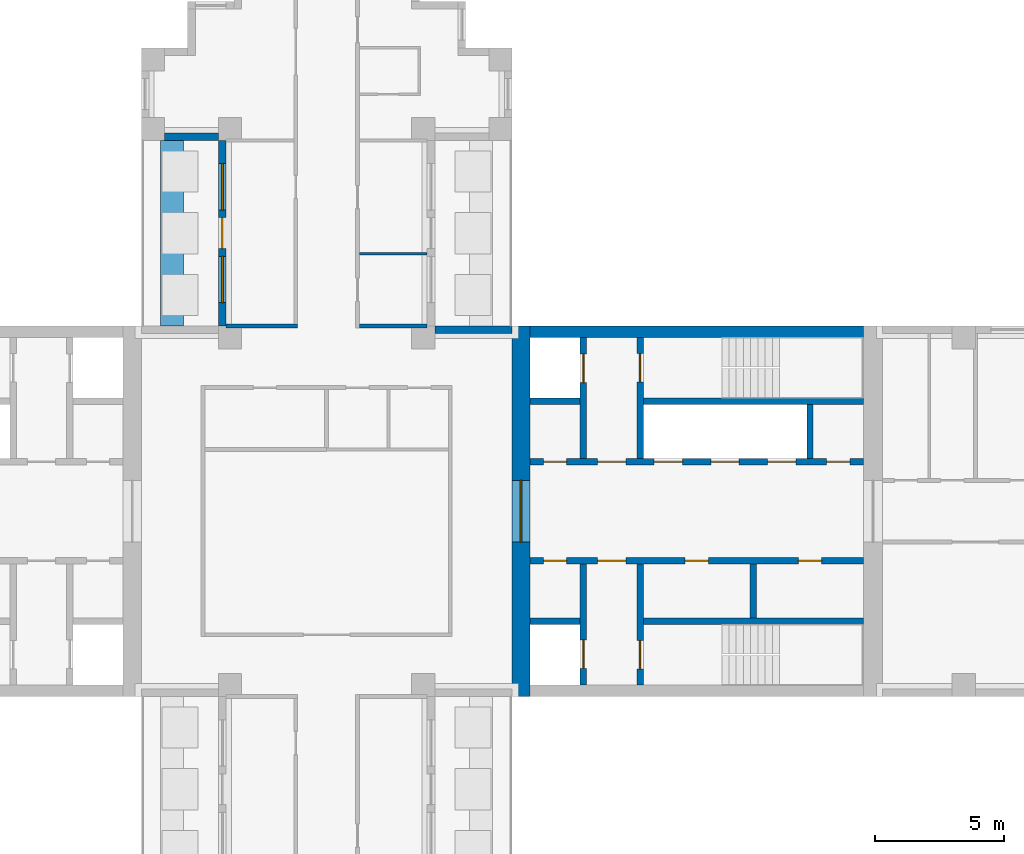
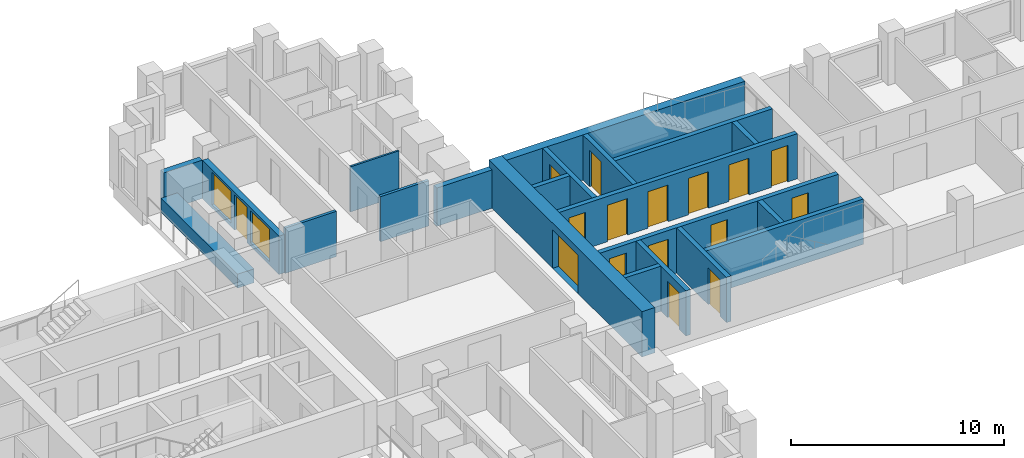
# One storey, part 6 of 11: 21 walls, 16 doors, 2 windows, 18 openings.
"""IFC4 building model written with IfcOpenShell, lengths in metres."""

from ifc_helpers import new_model, si_unit, direction, frame, frame_2d, origin, place, context, subcontext, project, spatial, rectangle, extrude, material, layer, layer_set, type_object, element, fill, save


model = new_model("IFC4")

# Units and contexts
model_context = context("Model", 3, precision=1e-05, world=origin(), true_north=direction((0.0, 1.0)))
body_context = subcontext(model_context, "Body", "Model", "MODEL_VIEW")
ifc_project = project(units=[si_unit("LENGTHUNIT", "METRE"), si_unit("AREAUNIT", "SQUARE_METRE"), si_unit("VOLUMEUNIT", "CUBIC_METRE"), si_unit("PLANEANGLEUNIT", "RADIAN"), si_unit("MASSUNIT", "GRAM", prefix="KILO")], contexts=[model_context])

# Site, building, storey
site_placement = place(None, origin())
site = spatial("IfcSite", under=ifc_project, at=site_placement, CompositionType="ELEMENT")
building_placement = place(site_placement, origin())
building = spatial("IfcBuilding", under=site, at=building_placement, Name="Fustian Cross Tower", CompositionType="ELEMENT")
storey_placement = place(building_placement, frame((0.0, 0.0, 138.300048828125)))
storey = spatial("IfcBuildingStorey", under=building, at=storey_placement, Name="L43", CompositionType="ELEMENT", Elevation=138.300048828125)

# Walls
ifc_material_1 = material(Name="Plasterboard on steel stud", Category="steel")
ifc_layer_1 = layer(ifc_material_1, 0.14990234375)
ifc_layer_set_1 = layer_set([ifc_layer_1], Name="Plasterboard on steel stud")
wall_type_1 = type_object("IfcWallType", Name="COMPARTMENT WALL 150 EI 60", PredefinedType="PARTITIONING", material=ifc_layer_set_1)
wall_1_placement = place(storey_placement, frame((-3.89990234375, 7.199951171875, 0.0), z_axis=(0.0, 0.0, 1.0), x_axis=(1.0, 0.0, 0.0)))
element("IfcWall", 1, at=wall_1_placement, inside=storey, type_object=wall_type_1, Name="Partition 18", PredefinedType="PARTITIONING", context=body_context, shape_type="SweptSolid", body=[
    extrude(rectangle(XDim=2.77490234375, YDim=0.14990234375, at=frame_2d((1.387451171875, 0.0))), origin(), (0.0, 0.0, 1.0), 2.599853515625),
])
wall_2_placement = place(storey_placement, frame((1.27490234375, 7.199951171875, 0.0), z_axis=(0.0, 0.0, 1.0), x_axis=(1.0, 0.0, 0.0)))
element("IfcWall", 2, at=wall_2_placement, inside=storey, type_object=wall_type_1, Name="Partition 28", PredefinedType="PARTITIONING", context=body_context, shape_type="SweptSolid", body=[
    extrude(rectangle(XDim=2.625, YDim=0.14990234375, at=frame_2d((1.3125, 0.0))), origin(), (0.0, 0.0, 1.0), 2.599853515625),
])

# Wall, opening, door
ifc_material_2 = material(Name="Concrete C60/75", Category="concrete")
ifc_layer_2 = layer(ifc_material_2, 0.699951171875)
ifc_layer_set_2 = layer_set([ifc_layer_2], Name="Concrete C60/75")
wall_type_2 = type_object("IfcWallType", Name="CORE END WALL 700 C60/75", PredefinedType="SHEAR", material=ifc_layer_set_2)
wall_3_placement = place(storey_placement, frame((7.550048828125, -7.199951171875, 0.0), z_axis=(0.0, 0.0, 1.0), x_axis=(0.0, 1.0, 0.0)))
wall_3 = element("IfcWall", 3, at=wall_3_placement, inside=storey, type_object=wall_type_2, Name="Core end wall", PredefinedType="SHEAR", context=body_context, shape_type="SweptSolid", body=[
    extrude(rectangle(XDim=14.39990234375, YDim=0.699951171875, at=frame_2d((7.199951171875, 0.0))), origin(), (0.0, 0.0, 1.0), 2.599853515625),
])
opening_1_placement = place(wall_3_placement, frame((6.0, 0.0, 0.0)))
opening_1 = element("IfcOpeningElement", 4, at=opening_1_placement, cuts=wall_3, Name="Opening CD-18-12", PredefinedType="OPENING", context=body_context, shape_type="SweptSolid", body=[
    extrude(rectangle(XDim=2.39990234375, YDim=2.199951171875, at=frame_2d((1.199951171875, 1.10009765625))), frame((0.0, 0.35986328125, 0.0), z_axis=(0.0, -1.0, 0.0), x_axis=(1.0, 0.0, 0.0)), (0.0, 0.0, 1.0), 0.719970703125),
])
ifc_material_3 = material(Name="Steel", Category="steel")
door_type_1 = type_object("IfcDoorType", Name="FIRE DOOR FD30S DOUBLE 2400X2200", OperationType="DOUBLE_DOOR_DOUBLE_SWING", PredefinedType="DOOR", material=ifc_material_3)
door_1_placement = place(opening_1_placement, origin())
door_1 = element("IfcDoor", 5, at=door_1_placement, inside=storey, type_object=door_type_1, Name="Core door CD-18-12", OperationType="DOUBLE_DOOR_DOUBLE_SWING", OverallHeight=2.199951171875, OverallWidth=2.39990234375, PredefinedType="DOOR", context=body_context, shape_type="SweptSolid", body=[
    extrude(rectangle(XDim=2.39990234375, YDim=2.199951171875, at=frame_2d((1.199951171875, 1.10009765625))), frame((0.0, 0.02490234375, 0.0), z_axis=(0.0, -1.0, 0.0), x_axis=(1.0, 0.0, 0.0)), (0.0, 0.0, 1.0), 0.050048828125),
])
fill(opening_1, door_1)

# Wall
ifc_material_4 = material(Name="Concrete C60/75", Category="concrete")
ifc_layer_3 = layer(ifc_material_4, 0.449951171875)
ifc_layer_set_3 = layer_set([ifc_layer_3], Name="Concrete C60/75")
wall_type_3 = type_object("IfcWallType", Name="CORE FACADE WALL 450 C60/75", PredefinedType="SHEAR", material=ifc_layer_set_3)
wall_4_placement = place(storey_placement, frame((7.89990234375, 6.97509765625, 0.0), z_axis=(0.0, 0.0, 1.0), x_axis=(1.0, 0.0, 0.0)))
element("IfcWall", 6, at=wall_4_placement, inside=storey, type_object=wall_type_3, Name="Core facade wall", PredefinedType="SHEAR", context=body_context, shape_type="SweptSolid", body=[
    extrude(rectangle(XDim=12.9501953125, YDim=0.449951171875, at=frame_2d((6.47509765625, 0.0))), origin(), (0.0, 0.0, 1.0), 2.599853515625),
])

# Wall, openings, doors
ifc_material_5 = material(Name="Concrete C50/60", Category="concrete")
ifc_layer_4 = layer(ifc_material_5, 0.25)
ifc_layer_set_4 = layer_set([ifc_layer_4], Name="Concrete C50/60")
wall_type_4 = type_object("IfcWallType", Name="CORE LOBBY WALL 250 C50/60", PredefinedType="SHEAR", material=ifc_layer_set_4)
wall_5_placement = place(storey_placement, frame((7.89990234375, 1.925048828125, 0.0), z_axis=(0.0, 0.0, 1.0), x_axis=(1.0, 0.0, 0.0)))
wall_5 = element("IfcWall", 7, at=wall_5_placement, inside=storey, type_object=wall_type_4, Name="Core lobby wall", PredefinedType="SHEAR", context=body_context, shape_type="SweptSolid", body=[
    extrude(rectangle(XDim=12.9501953125, YDim=0.25, at=frame_2d((6.47509765625, 0.0))), origin(), (0.0, 0.0, 1.0), 2.599853515625),
])
opening_2_placement = place(wall_5_placement, frame((4.824951171875, 0.0, 0.0)))
opening_2 = element("IfcOpeningElement", 8, at=opening_2_placement, cuts=wall_5, Name="Opening LD", PredefinedType="OPENING", context=body_context, shape_type="SweptSolid", body=[
    extrude(rectangle(XDim=1.10009765625, YDim=2.10009765625, at=frame_2d((0.550048828125, 1.050048828125))), frame((0.0, 0.135009765625, 0.0), z_axis=(0.0, -1.0, 0.0), x_axis=(1.0, 0.0, 0.0)), (0.0, 0.0, 1.0), 0.27001953125),
])
opening_3_placement = place(wall_5_placement, frame((7.02490234375, 0.0, 0.0)))
opening_3 = element("IfcOpeningElement", 9, at=opening_3_placement, cuts=wall_5, Name="Opening LD", PredefinedType="OPENING", context=body_context, shape_type="SweptSolid", body=[
    extrude(rectangle(XDim=1.10009765625, YDim=2.10009765625, at=frame_2d((0.550048828125, 1.050048828125))), frame((0.0, 0.135009765625, 0.0), z_axis=(0.0, -1.0, 0.0), x_axis=(1.0, 0.0, 0.0)), (0.0, 0.0, 1.0), 0.27001953125),
])
opening_4_placement = place(wall_5_placement, frame((9.22509765625, 0.0, 0.0)))
opening_4 = element("IfcOpeningElement", 10, at=opening_4_placement, cuts=wall_5, Name="Opening LD", PredefinedType="OPENING", context=body_context, shape_type="SweptSolid", body=[
    extrude(rectangle(XDim=1.10009765625, YDim=2.10009765625, at=frame_2d((0.550048828125, 1.050048828125))), frame((0.0, 0.135009765625, 0.0), z_axis=(0.0, -1.0, 0.0), x_axis=(1.0, 0.0, 0.0)), (0.0, 0.0, 1.0), 0.27001953125),
])
opening_5_placement = place(wall_5_placement, frame((0.52490234375, 0.0, 0.0)))
opening_5 = element("IfcOpeningElement", 11, at=opening_5_placement, cuts=wall_5, Name="Opening CD-18-08", PredefinedType="OPENING", context=body_context, shape_type="SweptSolid", body=[
    extrude(rectangle(XDim=0.89990234375, YDim=2.10009765625, at=frame_2d((0.449951171875, 1.050048828125))), frame((0.0, 0.135009765625, 0.0), z_axis=(0.0, -1.0, 0.0), x_axis=(1.0, 0.0, 0.0)), (0.0, 0.0, 1.0), 0.27001953125),
])
opening_6_placement = place(wall_5_placement, frame((2.625, 0.0, 0.0)))
opening_6 = element("IfcOpeningElement", 12, at=opening_6_placement, cuts=wall_5, Name="Opening CD-18-10", PredefinedType="OPENING", context=body_context, shape_type="SweptSolid", body=[
    extrude(rectangle(XDim=1.10009765625, YDim=2.10009765625, at=frame_2d((0.550048828125, 1.050048828125))), frame((0.0, 0.135009765625, 0.0), z_axis=(0.0, -1.0, 0.0), x_axis=(1.0, 0.0, 0.0)), (0.0, 0.0, 1.0), 0.27001953125),
])
opening_7_placement = place(wall_5_placement, frame((11.52490234375, 0.0, 0.0)))
opening_7 = element("IfcOpeningElement", 13, at=opening_7_placement, cuts=wall_5, Name="Opening CD-18-14", PredefinedType="OPENING", context=body_context, shape_type="SweptSolid", body=[
    extrude(rectangle(XDim=0.89990234375, YDim=2.10009765625, at=frame_2d((0.449951171875, 1.050048828125))), frame((0.0, 0.135009765625, 0.0), z_axis=(0.0, -1.0, 0.0), x_axis=(1.0, 0.0, 0.0)), (0.0, 0.0, 1.0), 0.27001953125),
])
ifc_material_6 = material(Name="Steel", Category="steel")
door_type_2 = type_object("IfcDoorType", Name="FIRE DOOR FD30S 900X2100", OperationType="SINGLE_SWING_LEFT", PredefinedType="DOOR", material=ifc_material_6)
door_2_placement = place(opening_7_placement, origin())
door_2 = element("IfcDoor", 14, at=door_2_placement, inside=storey, type_object=door_type_2, Name="Core door CD-18-14", OperationType="SINGLE_SWING_LEFT", OverallHeight=2.10009765625, OverallWidth=0.89990234375, PredefinedType="DOOR", context=body_context, shape_type="SweptSolid", body=[
    extrude(rectangle(XDim=0.89990234375, YDim=2.10009765625, at=frame_2d((0.449951171875, 1.050048828125))), frame((0.0, 0.02490234375, 0.0), z_axis=(0.0, -1.0, 0.0), x_axis=(1.0, 0.0, 0.0)), (0.0, 0.0, 1.0), 0.050048828125),
])
fill(opening_7, door_2)
ifc_material_7 = material(Name="Steel", Category="steel")
door_type_3 = type_object("IfcDoorType", Name="FIRE DOOR FD60S 1100X2100", OperationType="SINGLE_SWING_LEFT", PredefinedType="DOOR", material=ifc_material_7)
door_3_placement = place(opening_6_placement, frame((1.10009765625, 0.0, 0.0), z_axis=(0.0, 0.0, 1.0), x_axis=(-1.0, 0.0, 0.0)))
door_3 = element("IfcDoor", 15, at=door_3_placement, inside=storey, type_object=door_type_3, Name="Core door CD-18-10", OperationType="SINGLE_SWING_RIGHT", OverallHeight=2.10009765625, OverallWidth=1.10009765625, PredefinedType="DOOR", context=body_context, shape_type="SweptSolid", body=[
    extrude(rectangle(XDim=1.10009765625, YDim=2.10009765625, at=frame_2d((0.550048828125, 1.050048828125))), frame((0.0, 0.02490234375, 0.0), z_axis=(0.0, -1.0, 0.0), x_axis=(1.0, 0.0, 0.0)), (0.0, 0.0, 1.0), 0.050048828125),
])
fill(opening_6, door_3)
ifc_material_8 = material(Name="Steel", Category="steel")
door_type_4 = type_object("IfcDoorType", Name="FIRE DOOR FD60S 900X2100", OperationType="SINGLE_SWING_LEFT", PredefinedType="DOOR", material=ifc_material_8)
door_4_placement = place(opening_5_placement, origin())
door_4 = element("IfcDoor", 16, at=door_4_placement, inside=storey, type_object=door_type_4, Name="Core door CD-18-08", OperationType="SINGLE_SWING_LEFT", OverallHeight=2.10009765625, OverallWidth=0.89990234375, PredefinedType="DOOR", context=body_context, shape_type="SweptSolid", body=[
    extrude(rectangle(XDim=0.89990234375, YDim=2.10009765625, at=frame_2d((0.449951171875, 1.050048828125))), frame((0.0, 0.02490234375, 0.0), z_axis=(0.0, -1.0, 0.0), x_axis=(1.0, 0.0, 0.0)), (0.0, 0.0, 1.0), 0.050048828125),
])
fill(opening_5, door_4)
ifc_material_9 = material(Name="Stainless steel", Category="steel")
door_type_5 = type_object("IfcDoorType", Name="LIFT LANDING DOOR 1100X2100", OperationType="SLIDING_TO_LEFT", PredefinedType="DOOR", material=ifc_material_9)
door_5_placement = place(opening_2_placement, origin())
door_5 = element("IfcDoor", 17, at=door_5_placement, inside=storey, type_object=door_type_5, Name="Landing door HR1", OperationType="SLIDING_TO_LEFT", OverallHeight=2.10009765625, OverallWidth=1.10009765625, PredefinedType="DOOR", context=body_context, shape_type="SweptSolid", body=[
    extrude(rectangle(XDim=1.10009765625, YDim=2.10009765625, at=frame_2d((0.550048828125, 1.050048828125))), frame((0.0, 0.02490234375, 0.0), z_axis=(0.0, -1.0, 0.0), x_axis=(1.0, 0.0, 0.0)), (0.0, 0.0, 1.0), 0.050048828125),
])
fill(opening_2, door_5)
door_6_placement = place(opening_3_placement, origin())
door_6 = element("IfcDoor", 18, at=door_6_placement, inside=storey, type_object=door_type_5, Name="Landing door HR2", OperationType="SLIDING_TO_LEFT", OverallHeight=2.10009765625, OverallWidth=1.10009765625, PredefinedType="DOOR", context=body_context, shape_type="SweptSolid", body=[
    extrude(rectangle(XDim=1.10009765625, YDim=2.10009765625, at=frame_2d((0.550048828125, 1.050048828125))), frame((0.0, 0.02490234375, 0.0), z_axis=(0.0, -1.0, 0.0), x_axis=(1.0, 0.0, 0.0)), (0.0, 0.0, 1.0), 0.050048828125),
])
fill(opening_3, door_6)
door_7_placement = place(opening_4_placement, origin())
door_7 = element("IfcDoor", 19, at=door_7_placement, inside=storey, type_object=door_type_5, Name="Landing door HR3", OperationType="SLIDING_TO_LEFT", OverallHeight=2.10009765625, OverallWidth=1.10009765625, PredefinedType="DOOR", context=body_context, shape_type="SweptSolid", body=[
    extrude(rectangle(XDim=1.10009765625, YDim=2.10009765625, at=frame_2d((0.550048828125, 1.050048828125))), frame((0.0, 0.02490234375, 0.0), z_axis=(0.0, -1.0, 0.0), x_axis=(1.0, 0.0, 0.0)), (0.0, 0.0, 1.0), 0.050048828125),
])
fill(opening_4, door_7)

wall_6_placement = place(storey_placement, frame((7.89990234375, -1.925048828125, 0.0), z_axis=(0.0, 0.0, 1.0), x_axis=(1.0, 0.0, 0.0)))
wall_6 = element("IfcWall", 20, at=wall_6_placement, inside=storey, type_object=wall_type_4, Name="Core lobby wall", PredefinedType="SHEAR", context=body_context, shape_type="SweptSolid", body=[
    extrude(rectangle(XDim=12.9501953125, YDim=0.25, at=frame_2d((6.47509765625, 0.0))), origin(), (0.0, 0.0, 1.0), 2.599853515625),
])
opening_8_placement = place(wall_6_placement, frame((0.52490234375, 0.0, 0.0)))
opening_8 = element("IfcOpeningElement", 21, at=opening_8_placement, cuts=wall_6, Name="Opening CD-18-09", PredefinedType="OPENING", context=body_context, shape_type="SweptSolid", body=[
    extrude(rectangle(XDim=0.89990234375, YDim=2.10009765625, at=frame_2d((0.449951171875, 1.050048828125))), frame((0.0, 0.135009765625, 0.0), z_axis=(0.0, -1.0, 0.0), x_axis=(1.0, 0.0, 0.0)), (0.0, 0.0, 1.0), 0.27001953125),
])
opening_9_placement = place(wall_6_placement, frame((2.625, 0.0, 0.0)))
opening_9 = element("IfcOpeningElement", 22, at=opening_9_placement, cuts=wall_6, Name="Opening CD-18-11", PredefinedType="OPENING", context=body_context, shape_type="SweptSolid", body=[
    extrude(rectangle(XDim=1.10009765625, YDim=2.10009765625, at=frame_2d((0.550048828125, 1.050048828125))), frame((0.0, 0.135009765625, 0.0), z_axis=(0.0, -1.0, 0.0), x_axis=(1.0, 0.0, 0.0)), (0.0, 0.0, 1.0), 0.27001953125),
])
opening_10_placement = place(wall_6_placement, frame((6.02490234375, 0.0, 0.0)))
opening_10 = element("IfcOpeningElement", 23, at=opening_10_placement, cuts=wall_6, Name="Opening CD-18-15", PredefinedType="OPENING", context=body_context, shape_type="SweptSolid", body=[
    extrude(rectangle(XDim=0.89990234375, YDim=2.10009765625, at=frame_2d((0.449951171875, 1.050048828125))), frame((0.0, 0.135009765625, 0.0), z_axis=(0.0, -1.0, 0.0), x_axis=(1.0, 0.0, 0.0)), (0.0, 0.0, 1.0), 0.27001953125),
])
opening_11_placement = place(wall_6_placement, frame((10.425048828125, 0.0, 0.0)))
opening_11 = element("IfcOpeningElement", 24, at=opening_11_placement, cuts=wall_6, Name="Opening CD-18-16", PredefinedType="OPENING", context=body_context, shape_type="SweptSolid", body=[
    extrude(rectangle(XDim=0.89990234375, YDim=2.10009765625, at=frame_2d((0.449951171875, 1.050048828125))), frame((0.0, 0.135009765625, 0.0), z_axis=(0.0, -1.0, 0.0), x_axis=(1.0, 0.0, 0.0)), (0.0, 0.0, 1.0), 0.27001953125),
])
ifc_material_10 = material(Name="Steel", Category="steel")
door_type_6 = type_object("IfcDoorType", Name="FIRE DOOR FD30S 1100X2100", OperationType="SINGLE_SWING_LEFT", PredefinedType="DOOR", material=ifc_material_10)
door_8_placement = place(opening_9_placement, frame((1.10009765625, 0.0, 0.0), z_axis=(0.0, 0.0, 1.0), x_axis=(-1.0, 0.0, 0.0)))
door_8 = element("IfcDoor", 25, at=door_8_placement, inside=storey, type_object=door_type_6, Name="Core door CD-18-11", OperationType="SINGLE_SWING_RIGHT", OverallHeight=2.10009765625, OverallWidth=1.10009765625, PredefinedType="DOOR", context=body_context, shape_type="SweptSolid", body=[
    extrude(rectangle(XDim=1.10009765625, YDim=2.10009765625, at=frame_2d((0.550048828125, 1.050048828125))), frame((0.0, 0.02490234375, 0.0), z_axis=(0.0, -1.0, 0.0), x_axis=(1.0, 0.0, 0.0)), (0.0, 0.0, 1.0), 0.050048828125),
])
fill(opening_9, door_8)
door_9_placement = place(opening_8_placement, frame((0.89990234375, 0.0, 0.0), z_axis=(0.0, 0.0, 1.0), x_axis=(-1.0, 0.0, 0.0)))
door_9 = element("IfcDoor", 26, at=door_9_placement, inside=storey, type_object=door_type_2, Name="Core door CD-18-09", OperationType="SINGLE_SWING_RIGHT", OverallHeight=2.10009765625, OverallWidth=0.89990234375, PredefinedType="DOOR", context=body_context, shape_type="SweptSolid", body=[
    extrude(rectangle(XDim=0.89990234375, YDim=2.10009765625, at=frame_2d((0.449951171875, 1.050048828125))), frame((0.0, 0.02490234375, 0.0), z_axis=(0.0, -1.0, 0.0), x_axis=(1.0, 0.0, 0.0)), (0.0, 0.0, 1.0), 0.050048828125),
])
fill(opening_8, door_9)
door_10_placement = place(opening_10_placement, frame((0.89990234375, 0.0, 0.0), z_axis=(0.0, 0.0, 1.0), x_axis=(-1.0, 0.0, 0.0)))
door_10 = element("IfcDoor", 27, at=door_10_placement, inside=storey, type_object=door_type_2, Name="Core door CD-18-15", OperationType="SINGLE_SWING_LEFT", OverallHeight=2.10009765625, OverallWidth=0.89990234375, PredefinedType="DOOR", context=body_context, shape_type="SweptSolid", body=[
    extrude(rectangle(XDim=0.89990234375, YDim=2.10009765625, at=frame_2d((0.449951171875, 1.050048828125))), frame((0.0, 0.02490234375, 0.0), z_axis=(0.0, -1.0, 0.0), x_axis=(1.0, 0.0, 0.0)), (0.0, 0.0, 1.0), 0.050048828125),
])
fill(opening_10, door_10)
door_11_placement = place(opening_11_placement, frame((0.89990234375, 0.0, 0.0), z_axis=(0.0, 0.0, 1.0), x_axis=(-1.0, 0.0, 0.0)))
door_11 = element("IfcDoor", 28, at=door_11_placement, inside=storey, type_object=door_type_2, Name="Core door CD-18-16", OperationType="SINGLE_SWING_LEFT", OverallHeight=2.10009765625, OverallWidth=0.89990234375, PredefinedType="DOOR", context=body_context, shape_type="SweptSolid", body=[
    extrude(rectangle(XDim=0.89990234375, YDim=2.10009765625, at=frame_2d((0.449951171875, 1.050048828125))), frame((0.0, 0.02490234375, 0.0), z_axis=(0.0, -1.0, 0.0), x_axis=(1.0, 0.0, 0.0)), (0.0, 0.0, 1.0), 0.050048828125),
])
fill(opening_11, door_11)

# Walls
ifc_material_11 = material(Name="Concrete C50/60", Category="concrete")
ifc_layer_5 = layer(ifc_material_11, 0.25)
ifc_layer_set_5 = layer_set([ifc_layer_5], Name="Concrete C50/60")
wall_type_5 = type_object("IfcWallType", Name="CORE SHAFT WALL 250 C50/60", PredefinedType="SHEAR", material=ifc_layer_set_5)
wall_7_placement = place(storey_placement, frame((7.89990234375, 4.27490234375, 0.0), z_axis=(0.0, 0.0, 1.0), x_axis=(1.0, 0.0, 0.0)))
element("IfcWall", 29, at=wall_7_placement, inside=storey, type_object=wall_type_5, Name="Core shaft wall", PredefinedType="SHEAR", context=body_context, shape_type="SweptSolid", body=[
    extrude(rectangle(XDim=1.9501953125, YDim=0.25, at=frame_2d((0.97509765625, 0.0))), origin(), (0.0, 0.0, 1.0), 2.599853515625),
])
wall_8_placement = place(storey_placement, frame((12.300048828125, 4.27490234375, 0.0), z_axis=(0.0, 0.0, 1.0), x_axis=(1.0, 0.0, 0.0)))
element("IfcWall", 30, at=wall_8_placement, inside=storey, type_object=wall_type_5, Name="Core shaft wall", PredefinedType="SHEAR", context=body_context, shape_type="SweptSolid", body=[
    extrude(rectangle(XDim=8.550048828125, YDim=0.25, at=frame_2d((4.27490234375, 0.0))), origin(), (0.0, 0.0, 1.0), 2.599853515625),
])

# Wall, opening, door
wall_9_placement = place(storey_placement, frame((9.97509765625, 2.050048828125, 0.0), z_axis=(0.0, 0.0, 1.0), x_axis=(0.0, 1.0, 0.0)))
wall_9 = element("IfcWall", 31, at=wall_9_placement, inside=storey, type_object=wall_type_5, Name="Core shaft wall", PredefinedType="SHEAR", context=body_context, shape_type="SweptSolid", body=[
    extrude(rectangle(XDim=4.699951171875, YDim=0.25, at=frame_2d((2.35009765625, 0.0))), origin(), (0.0, 0.0, 1.0), 2.599853515625),
])
opening_12_placement = place(wall_9_placement, frame((2.949951171875, 0.0, 0.0)))
opening_12 = element("IfcOpeningElement", 32, at=opening_12_placement, cuts=wall_9, Name="Opening LD", PredefinedType="OPENING", context=body_context, shape_type="SweptSolid", body=[
    extrude(rectangle(XDim=1.10009765625, YDim=2.10009765625, at=frame_2d((0.550048828125, 1.050048828125))), frame((0.0, 0.135009765625, 0.0), z_axis=(0.0, -1.0, 0.0), x_axis=(1.0, 0.0, 0.0)), (0.0, 0.0, 1.0), 0.27001953125),
])
door_12_placement = place(opening_12_placement, origin())
door_12 = element("IfcDoor", 33, at=door_12_placement, inside=storey, type_object=door_type_5, Name="Landing door FL1", OperationType="SLIDING_TO_LEFT", OverallHeight=2.10009765625, OverallWidth=1.10009765625, PredefinedType="DOOR", context=body_context, shape_type="SweptSolid", body=[
    extrude(rectangle(XDim=1.10009765625, YDim=2.10009765625, at=frame_2d((0.550048828125, 1.050048828125))), frame((0.0, 0.02490234375, 0.0), z_axis=(0.0, -1.0, 0.0), x_axis=(1.0, 0.0, 0.0)), (0.0, 0.0, 1.0), 0.050048828125),
])
fill(opening_12, door_12)

wall_10_placement = place(storey_placement, frame((12.175048828125, 2.050048828125, 0.0), z_axis=(0.0, 0.0, 1.0), x_axis=(0.0, 1.0, 0.0)))
wall_10 = element("IfcWall", 34, at=wall_10_placement, inside=storey, type_object=wall_type_5, Name="Core shaft wall", PredefinedType="SHEAR", context=body_context, shape_type="SweptSolid", body=[
    extrude(rectangle(XDim=4.699951171875, YDim=0.25, at=frame_2d((2.35009765625, 0.0))), origin(), (0.0, 0.0, 1.0), 2.599853515625),
])
opening_13_placement = place(wall_10_placement, frame((2.97509765625, 0.0, 0.0)))
opening_13 = element("IfcOpeningElement", 35, at=opening_13_placement, cuts=wall_10, Name="Opening CD-18-06", PredefinedType="OPENING", context=body_context, shape_type="SweptSolid", body=[
    extrude(rectangle(XDim=1.10009765625, YDim=2.10009765625, at=frame_2d((0.550048828125, 1.050048828125))), frame((0.0, 0.135009765625, 0.0), z_axis=(0.0, -1.0, 0.0), x_axis=(1.0, 0.0, 0.0)), (0.0, 0.0, 1.0), 0.27001953125),
])
door_13_placement = place(opening_13_placement, frame((1.10009765625, 0.0, 0.0), z_axis=(0.0, 0.0, 1.0), x_axis=(-1.0, 0.0, 0.0)))
door_13 = element("IfcDoor", 36, at=door_13_placement, inside=storey, type_object=door_type_3, Name="Core door CD-18-06", OperationType="SINGLE_SWING_RIGHT", OverallHeight=2.10009765625, OverallWidth=1.10009765625, PredefinedType="DOOR", context=body_context, shape_type="SweptSolid", body=[
    extrude(rectangle(XDim=1.10009765625, YDim=2.10009765625, at=frame_2d((0.550048828125, 1.050048828125))), frame((0.0, 0.02490234375, 0.0), z_axis=(0.0, -1.0, 0.0), x_axis=(1.0, 0.0, 0.0)), (0.0, 0.0, 1.0), 0.050048828125),
])
fill(opening_13, door_13)

# Walls
wall_11_placement = place(storey_placement, frame((7.89990234375, -4.27490234375, 0.0), z_axis=(0.0, 0.0, 1.0), x_axis=(1.0, 0.0, 0.0)))
element("IfcWall", 37, at=wall_11_placement, inside=storey, type_object=wall_type_5, Name="Core shaft wall", PredefinedType="SHEAR", context=body_context, shape_type="SweptSolid", body=[
    extrude(rectangle(XDim=1.9501953125, YDim=0.25, at=frame_2d((0.97509765625, 0.0))), origin(), (0.0, 0.0, 1.0), 2.599853515625),
])
wall_12_placement = place(storey_placement, frame((12.300048828125, -4.27490234375, 0.0), z_axis=(0.0, 0.0, 1.0), x_axis=(1.0, 0.0, 0.0)))
element("IfcWall", 38, at=wall_12_placement, inside=storey, type_object=wall_type_5, Name="Core shaft wall", PredefinedType="SHEAR", context=body_context, shape_type="SweptSolid", body=[
    extrude(rectangle(XDim=8.550048828125, YDim=0.25, at=frame_2d((4.27490234375, 0.0))), origin(), (0.0, 0.0, 1.0), 2.599853515625),
])

# Wall, opening, door
wall_13_placement = place(storey_placement, frame((9.97509765625, -2.050048828125, 0.0), z_axis=(0.0, 0.0, 1.0), x_axis=(0.0, -1.0, 0.0)))
wall_13 = element("IfcWall", 39, at=wall_13_placement, inside=storey, type_object=wall_type_5, Name="Core shaft wall", PredefinedType="SHEAR", context=body_context, shape_type="SweptSolid", body=[
    extrude(rectangle(XDim=4.699951171875, YDim=0.25, at=frame_2d((2.35009765625, 0.0))), origin(), (0.0, 0.0, 1.0), 2.599853515625),
])
opening_14_placement = place(wall_13_placement, frame((2.949951171875, 0.0, 0.0)))
opening_14 = element("IfcOpeningElement", 40, at=opening_14_placement, cuts=wall_13, Name="Opening LD", PredefinedType="OPENING", context=body_context, shape_type="SweptSolid", body=[
    extrude(rectangle(XDim=1.10009765625, YDim=2.10009765625, at=frame_2d((0.550048828125, 1.050048828125))), frame((0.0, 0.135009765625, 0.0), z_axis=(0.0, -1.0, 0.0), x_axis=(1.0, 0.0, 0.0)), (0.0, 0.0, 1.0), 0.27001953125),
])
door_14_placement = place(opening_14_placement, origin())
door_14 = element("IfcDoor", 41, at=door_14_placement, inside=storey, type_object=door_type_5, Name="Landing door SV1", OperationType="SLIDING_TO_LEFT", OverallHeight=2.10009765625, OverallWidth=1.10009765625, PredefinedType="DOOR", context=body_context, shape_type="SweptSolid", body=[
    extrude(rectangle(XDim=1.10009765625, YDim=2.10009765625, at=frame_2d((0.550048828125, 1.050048828125))), frame((0.0, 0.02490234375, 0.0), z_axis=(0.0, -1.0, 0.0), x_axis=(1.0, 0.0, 0.0)), (0.0, 0.0, 1.0), 0.050048828125),
])
fill(opening_14, door_14)

wall_14_placement = place(storey_placement, frame((12.175048828125, -2.050048828125, 0.0), z_axis=(0.0, 0.0, 1.0), x_axis=(0.0, -1.0, 0.0)))
wall_14 = element("IfcWall", 42, at=wall_14_placement, inside=storey, type_object=wall_type_5, Name="Core shaft wall", PredefinedType="SHEAR", context=body_context, shape_type="SweptSolid", body=[
    extrude(rectangle(XDim=4.699951171875, YDim=0.25, at=frame_2d((2.35009765625, 0.0))), origin(), (0.0, 0.0, 1.0), 2.599853515625),
])
opening_15_placement = place(wall_14_placement, frame((2.97509765625, 0.0, 0.0)))
opening_15 = element("IfcOpeningElement", 43, at=opening_15_placement, cuts=wall_14, Name="Opening CD-18-07", PredefinedType="OPENING", context=body_context, shape_type="SweptSolid", body=[
    extrude(rectangle(XDim=1.10009765625, YDim=2.10009765625, at=frame_2d((0.550048828125, 1.050048828125))), frame((0.0, 0.135009765625, 0.0), z_axis=(0.0, -1.0, 0.0), x_axis=(1.0, 0.0, 0.0)), (0.0, 0.0, 1.0), 0.27001953125),
])
door_15_placement = place(opening_15_placement, origin())
door_15 = element("IfcDoor", 44, at=door_15_placement, inside=storey, type_object=door_type_3, Name="Core door CD-18-07", OperationType="SINGLE_SWING_LEFT", OverallHeight=2.10009765625, OverallWidth=1.10009765625, PredefinedType="DOOR", context=body_context, shape_type="SweptSolid", body=[
    extrude(rectangle(XDim=1.10009765625, YDim=2.10009765625, at=frame_2d((0.550048828125, 1.050048828125))), frame((0.0, 0.02490234375, 0.0), z_axis=(0.0, -1.0, 0.0), x_axis=(1.0, 0.0, 0.0)), (0.0, 0.0, 1.0), 0.050048828125),
])
fill(opening_15, door_15)

# Walls
ifc_material_12 = material(Name="Plasterboard on steel stud", Category="steel")
ifc_layer_6 = layer(ifc_material_12, 0.10009765625)
ifc_layer_set_6 = layer_set([ifc_layer_6], Name="Plasterboard on steel stud")
wall_type_6 = type_object("IfcWallType", Name="PARTITION 100 STUD", PredefinedType="PARTITIONING", material=ifc_layer_set_6)
wall_15_placement = place(storey_placement, frame((1.27490234375, 10.0, 0.0), z_axis=(0.0, 0.0, 1.0), x_axis=(1.0, 0.0, 0.0)))
element("IfcWall", 45, at=wall_15_placement, inside=storey, type_object=wall_type_6, Name="Partition 29", PredefinedType="PARTITIONING", context=body_context, shape_type="SweptSolid", body=[
    extrude(rectangle(XDim=2.625, YDim=0.10009765625, at=frame_2d((1.3125, 0.0))), origin(), (0.0, 0.0, 1.0), 2.599853515625),
])
ifc_material_13 = material(Name="Concrete C40/50", Category="concrete")
ifc_layer_7 = layer(ifc_material_13, 0.89990234375)
ifc_layer_set_7 = layer_set([ifc_layer_7], Name="Concrete C40/50")
wall_type_7 = type_object("IfcWallType", Name="PK1 PLANTER 900", PredefinedType="PARAPET", material=ifc_layer_set_7)
wall_16_placement = place(storey_placement, frame((-6.0, 7.199951171875, 0.0), z_axis=(0.0, 0.0, 1.0), x_axis=(0.0, 1.0, 0.0)))
element("IfcWall", 46, at=wall_16_placement, inside=storey, type_object=wall_type_7, Name="PLANTER", PredefinedType="PARAPET", context=body_context, shape_type="SweptSolid", body=[
    extrude(rectangle(XDim=7.199951171875, YDim=0.89990234375, at=frame_2d((3.60009765625, 0.0))), origin(), (0.0, 0.0, 1.0), 0.800048828125),
])
ifc_material_14 = material(Name="Concrete C40/50", Category="concrete")
ifc_layer_8 = layer(ifc_material_14, 0.25)
ifc_layer_set_8 = layer_set([ifc_layer_8], Name="Concrete C40/50")
wall_type_8 = type_object("IfcWallType", Name="SHAFT PARTITION WALL 250 C40/50", PredefinedType="PARTITIONING", material=ifc_layer_set_8)
for number, where, z_axis, x_axis, name in (
    (47, (18.77490234375, 2.050048828125, 0.0), (0.0, 0.0, 1.0), (0.0, 1.0, 0.0), "Core shaft wall"),
    (48, (16.574951171875, -2.050048828125, 0.0), (0.0, 0.0, 1.0), (0.0, -1.0, 0.0), "Core shaft wall"),
):
    element("IfcWall", number, at=place(storey_placement, frame(where, z_axis=z_axis, x_axis=x_axis)), inside=storey, type_object=wall_type_8, Name=name, PredefinedType="PARTITIONING", context=body_context, shape_type="SweptSolid", body=[
        extrude(rectangle(XDim=2.099853515625, YDim=0.25, at=frame_2d((1.0498046875, 0.0))), origin(), (0.0, 0.0, 1.0), 2.599853515625),
    ])
ifc_material_15 = material(Name="Dark aluminium cladding on insulated backing wall", Category="aluminium")
ifc_layer_9 = layer(ifc_material_15, 0.300048828125)
ifc_layer_set_9 = layer_set([ifc_layer_9], Name="Dark aluminium cladding on insulated backing wall")
wall_type_9 = type_object("IfcWallType", Name="XW1 EXTERNAL WALL 300", PredefinedType="SOLIDWALL", material=ifc_layer_set_9)
wall_17_placement = place(storey_placement, frame((7.199951171875, 7.050048828125, 0.0), z_axis=(0.0, 0.0, 1.0), x_axis=(-1.0, 0.0, 0.0)))
element("IfcWall", 49, at=wall_17_placement, inside=storey, type_object=wall_type_9, Name="External wall", PredefinedType="SOLIDWALL", context=body_context, shape_type="SweptSolid", body=[
    extrude(rectangle(XDim=3.0, YDim=0.300048828125, at=frame_2d((1.5, 0.0))), origin(), (0.0, 0.0, 1.0), 2.199951171875),
])
wall_18_placement = place(storey_placement, frame((-6.300048828125, 14.550048828125, 0.0), z_axis=(0.0, 0.0, 1.0), x_axis=(1.0, 0.0, 0.0)))
element("IfcWall", 50, at=wall_18_placement, inside=storey, type_object=wall_type_9, Name="External wall", PredefinedType="SOLIDWALL", context=body_context, shape_type="SweptSolid", body=[
    extrude(rectangle(XDim=2.10009765625, YDim=0.300048828125, at=frame_2d((1.050048828125, 0.0))), origin(), (0.0, 0.0, 1.0), 2.199951171875),
])

# Wall, openings, door, windows
wall_19_placement = place(storey_placement, frame((-4.050048828125, 14.39990234375, 0.0), z_axis=(0.0, 0.0, 1.0), x_axis=(0.0, -1.0, 0.0)))
wall_19 = element("IfcWall", 51, at=wall_19_placement, inside=storey, type_object=wall_type_9, Name="External wall", PredefinedType="SOLIDWALL", context=body_context, shape_type="SweptSolid", body=[
    extrude(rectangle(XDim=7.199951171875, YDim=0.300048828125, at=frame_2d((3.60009765625, 0.0))), origin(), (0.0, 0.0, 1.0), 2.199951171875),
])
opening_16_placement = place(wall_19_placement, frame((3.0, 0.0, 0.0)))
opening_16 = element("IfcOpeningElement", 52, at=opening_16_placement, cuts=wall_19, Name="Opening XD2", PredefinedType="OPENING", context=body_context, shape_type="SweptSolid", body=[
    extrude(rectangle(XDim=1.199951171875, YDim=2.050048828125, at=frame_2d((0.60009765625, 1.02490234375))), frame((0.0, 0.159912109375, 0.0), z_axis=(0.0, -1.0, 0.0), x_axis=(1.0, 0.0, 0.0)), (0.0, 0.0, 1.0), 0.320068359375),
])
opening_17_placement = place(wall_19_placement, frame((0.89990234375, 0.0, 0.199951171875)))
opening_17 = element("IfcOpeningElement", 53, at=opening_17_placement, cuts=wall_19, Name="Opening WN2", PredefinedType="OPENING", context=body_context, shape_type="SweptSolid", body=[
    extrude(rectangle(XDim=1.800048828125, YDim=1.85009765625, at=frame_2d((0.89990234375, 0.925048828125))), frame((0.0, 0.159912109375, 0.0), z_axis=(0.0, -1.0, 0.0), x_axis=(1.0, 0.0, 0.0)), (0.0, 0.0, 1.0), 0.320068359375),
])
opening_18_placement = place(wall_19_placement, frame((4.5, 0.0, 0.199951171875)))
opening_18 = element("IfcOpeningElement", 54, at=opening_18_placement, cuts=wall_19, Name="Opening WN2", PredefinedType="OPENING", context=body_context, shape_type="SweptSolid", body=[
    extrude(rectangle(XDim=1.800048828125, YDim=1.85009765625, at=frame_2d((0.89990234375, 0.925048828125))), frame((0.0, 0.159912109375, 0.0), z_axis=(0.0, -1.0, 0.0), x_axis=(1.0, 0.0, 0.0)), (0.0, 0.0, 1.0), 0.320068359375),
])
ifc_material_16 = material(Name="Dark anodised aluminium and double glazing", Category="aluminium")
door_type_7 = type_object("IfcDoorType", Name="ED1 BALCONY DOOR 1200X2050", OperationType="SINGLE_SWING_LEFT", PredefinedType="DOOR", material=ifc_material_16)
door_16_placement = place(opening_16_placement, origin())
door_16 = element("IfcDoor", 55, at=door_16_placement, inside=storey, type_object=door_type_7, Name="Balcony door", OperationType="SINGLE_SWING_LEFT", OverallHeight=2.050048828125, OverallWidth=1.199951171875, PredefinedType="DOOR", context=body_context, shape_type="SweptSolid", body=[
    extrude(rectangle(XDim=1.199951171875, YDim=2.050048828125, at=frame_2d((0.60009765625, 1.02490234375))), frame((0.0, 0.02490234375, 0.0), z_axis=(0.0, -1.0, 0.0), x_axis=(1.0, 0.0, 0.0)), (0.0, 0.0, 1.0), 0.050048828125),
])
fill(opening_16, door_16)
ifc_material_17 = material(Name="Dark anodised aluminium and double glazing", Category="aluminium")
window_type = type_object("IfcWindowType", Name="WN2 WINDOW 1800X1850", PartitioningType="SINGLE_PANEL", PredefinedType="WINDOW", material=ifc_material_17)
window_1_placement = place(opening_17_placement, origin())
window_1 = element("IfcWindow", 56, at=window_1_placement, inside=storey, type_object=window_type, Name="Window", OverallHeight=1.85009765625, OverallWidth=1.800048828125, PartitioningType="SINGLE_PANEL", PredefinedType="WINDOW", context=body_context, shape_type="SweptSolid", body=[
    extrude(rectangle(XDim=1.800048828125, YDim=1.85009765625, at=frame_2d((0.89990234375, 0.925048828125))), frame((0.0, 0.030029296875, 0.0), z_axis=(0.0, -1.0, 0.0), x_axis=(1.0, 0.0, 0.0)), (0.0, 0.0, 1.0), 0.06005859375),
])
fill(opening_17, window_1)
window_2_placement = place(opening_18_placement, origin())
window_2 = element("IfcWindow", 57, at=window_2_placement, inside=storey, type_object=window_type, Name="Window", OverallHeight=1.85009765625, OverallWidth=1.800048828125, PartitioningType="SINGLE_PANEL", PredefinedType="WINDOW", context=body_context, shape_type="SweptSolid", body=[
    extrude(rectangle(XDim=1.800048828125, YDim=1.85009765625, at=frame_2d((0.89990234375, 0.925048828125))), frame((0.0, 0.030029296875, 0.0), z_axis=(0.0, -1.0, 0.0), x_axis=(1.0, 0.0, 0.0)), (0.0, 0.0, 1.0), 0.06005859375),
])
fill(opening_18, window_2)

save(model, "model.ifc")
